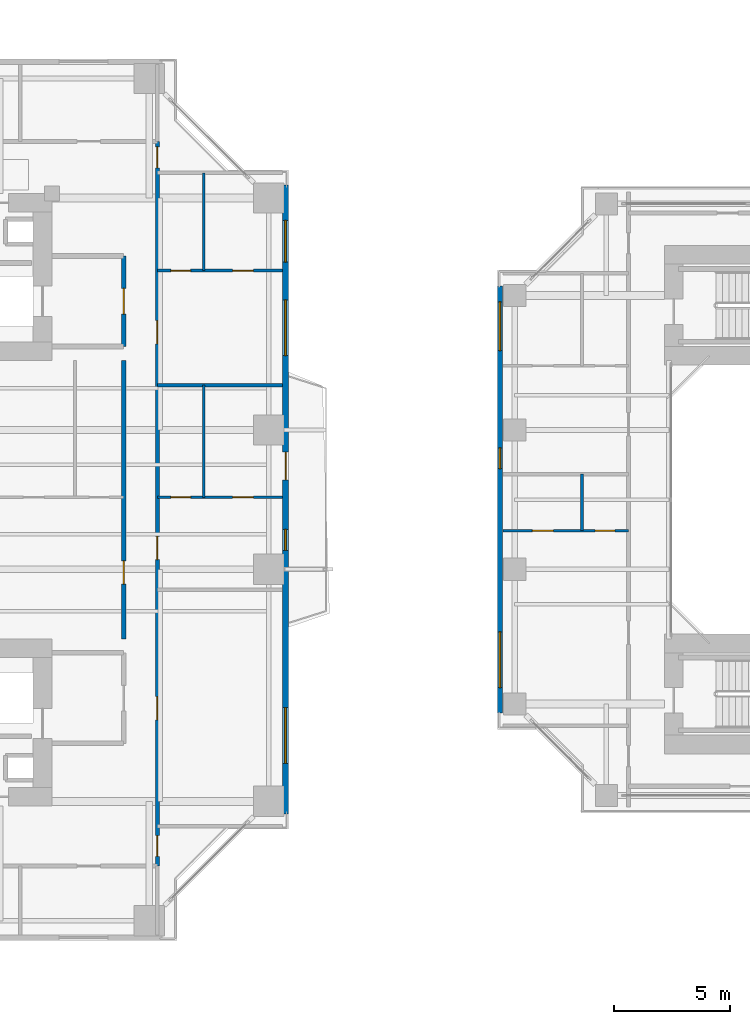
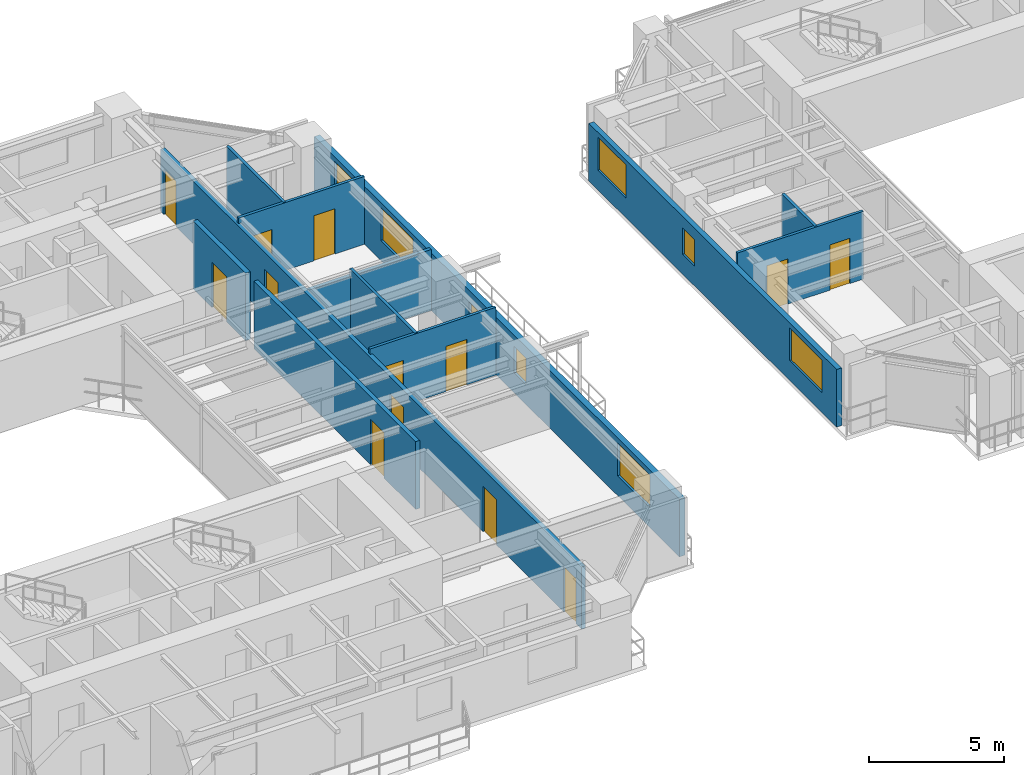
# One storey, part 15 of 23: 14 doors, 12 walls, 7 windows, 21 openings.
"""IFC4 building model written with IfcOpenShell, lengths in metres."""

from ifc_helpers import new_model, si_unit, direction, frame, frame_2d, origin, place, context, subcontext, project, spatial, rectangle, extrude, source, transform, mapped, material, layer, layer_set, type_object, element, fill, save


model = new_model("IFC4")

# Units and contexts
model_context = context("Model", 3, precision=1e-05, world=origin(), true_north=direction((0.0, 1.0)))
body_context = subcontext(model_context, "Body", "Model", "MODEL_VIEW")
ifc_project = project(units=[si_unit("LENGTHUNIT", "METRE"), si_unit("AREAUNIT", "SQUARE_METRE"), si_unit("VOLUMEUNIT", "CUBIC_METRE"), si_unit("PLANEANGLEUNIT", "RADIAN"), si_unit("MASSUNIT", "GRAM", prefix="KILO"), si_unit("THERMODYNAMICTEMPERATUREUNIT", "KELVIN"), si_unit("POWERUNIT", "WATT")], contexts=[model_context])

# Site, building, storey
site_placement = place(None, origin())
site = spatial("IfcSite", under=ifc_project, at=site_placement, CompositionType="ELEMENT")
building_placement = place(site_placement, origin())
building = spatial("IfcBuilding", under=site, at=building_placement, Name="Qiaomeng Ring Towers", CompositionType="ELEMENT")
storey_placement = place(building_placement, frame((0.0, 0.0, 39.25)))
storey = spatial("IfcBuildingStorey", under=building, at=storey_placement, Name="L10", CompositionType="ELEMENT", Elevation=39.25)

# Wall, openings, windows, door
ifc_material_1 = material(Name="Precast concrete C40", Category="concrete")
ifc_layer_1 = layer(ifc_material_1, 0.25, Name="Precast concrete C40")
ifc_layer_set_1 = layer_set([ifc_layer_1], Name="Precast concrete C40")
wall_type_1 = type_object("IfcWallType", Name="ARC-WL-EW1", PredefinedType="STANDARD", material=ifc_layer_set_1)
wall_1_placement = place(storey_placement, frame((37.875, 9.449951171875, 0.0), z_axis=(0.0, 0.0, 1.0), x_axis=(0.0, 1.0, 0.0)))
wall_1 = element("IfcWall", 1, at=wall_1_placement, inside=storey, type_object=wall_type_1, Name="L10 Tower 1 E Exterior Wall", PredefinedType="STANDARD", context=body_context, shape_type="SweptSolid", body=[
    extrude(rectangle(XDim=27.10009765625, YDim=0.25, at=frame_2d((13.550048828125, 0.0))), origin(), (0.0, 0.0, 1.0), 2.610107421875),
])
opening_1_placement = place(wall_1_placement, frame((14.39990234375, 0.0, 0.0)))
opening_1 = element("IfcOpeningElement", 2, at=opening_1_placement, cuts=wall_1, Name="Opening BD1", PredefinedType="OPENING", context=body_context, shape_type="SweptSolid", body=[
    extrude(rectangle(XDim=1.199951171875, YDim=2.10009765625, at=frame_2d((0.60009765625, 1.050048828125))), frame((0.0, 0.135009765625, 0.0), z_axis=(0.0, -1.0, 0.0), x_axis=(1.0, 0.0, 0.0)), (0.0, 0.0, 1.0), 0.27001953125),
])
opening_2_placement = place(wall_1_placement, frame((2.18798828125, 0.0, 0.89990234375)))
opening_2 = element("IfcOpeningElement", 3, at=opening_2_placement, cuts=wall_1, Name="Opening WN6", PredefinedType="OPENING", context=body_context, shape_type="SweptSolid", body=[
    extrude(rectangle(XDim=2.39990234375, YDim=1.47998046875, at=frame_2d((1.199951171875, 0.739990234375))), frame((0.0, 0.135009765625, 0.0), z_axis=(0.0, -1.0, 0.0), x_axis=(1.0, 0.0, 0.0)), (0.0, 0.0, 1.0), 0.27001953125),
])
opening_3_placement = place(wall_1_placement, frame((23.78759765625, 0.0, 0.89990234375)))
opening_3 = element("IfcOpeningElement", 4, at=opening_3_placement, cuts=wall_1, Name="Opening WN1", PredefinedType="OPENING", context=body_context, shape_type="SweptSolid", body=[
    extrude(rectangle(XDim=1.800048828125, YDim=1.5, at=frame_2d((0.89990234375, 0.75))), frame((0.0, 0.135009765625, 0.0), z_axis=(0.0, -1.0, 0.0), x_axis=(1.0, 0.0, 0.0)), (0.0, 0.0, 1.0), 0.27001953125),
])
opening_4_placement = place(wall_1_placement, frame((19.757568359375, 0.0, 0.89990234375)))
opening_4 = element("IfcOpeningElement", 5, at=opening_4_placement, cuts=wall_1, Name="Opening WN6", PredefinedType="OPENING", context=body_context, shape_type="SweptSolid", body=[
    extrude(rectangle(XDim=2.39990234375, YDim=1.5, at=frame_2d((1.199951171875, 0.75))), frame((0.0, 0.135009765625, 0.0), z_axis=(0.0, -1.0, 0.0), x_axis=(1.0, 0.0, 0.0)), (0.0, 0.0, 1.0), 0.27001953125),
])
opening_5_placement = place(wall_1_placement, frame((11.364990234375, 0.0, 0.89990234375)))
opening_5 = element("IfcOpeningElement", 6, at=opening_5_placement, cuts=wall_1, Name="Opening WN5", PredefinedType="OPENING", context=body_context, shape_type="SweptSolid", body=[
    extrude(rectangle(XDim=0.89990234375, YDim=1.199951171875, at=frame_2d((0.449951171875, 0.60009765625))), frame((0.0, 0.135009765625, 0.0), z_axis=(0.0, -1.0, 0.0), x_axis=(1.0, 0.0, 0.0)), (0.0, 0.0, 1.0), 0.27001953125),
])
ifc_material_2 = material(Name="Low-E dark-grey laminated double glazing", Category="glass")
window_type_1 = type_object("IfcWindowType", Name="ARC-WN-6", PartitioningType="TRIPLE_PANEL_VERTICAL", PredefinedType="WINDOW", material=ifc_material_2)
shared_shape_1 = source(origin(), body_context, "Body", "SweptSolid", [
    extrude(rectangle(XDim=2.39990234375, YDim=1.47998046875, at=frame_2d((1.199951171875, 0.739990234375))), frame((0.0, 0.030029296875, 0.0), z_axis=(0.0, -1.0, 0.0), x_axis=(1.0, 0.0, 0.0)), (0.0, 0.0, 1.0), 0.06005859375),
])
window_1_placement = place(opening_2_placement, origin())
window_1 = element("IfcWindow", 7, at=window_1_placement, inside=storey, type_object=window_type_1, Name="L10 Exterior Window WN6", OverallHeight=1.47998046875, OverallWidth=2.39990234375, PartitioningType="TRIPLE_PANEL_VERTICAL", PredefinedType="WINDOW", context=body_context, shape_type="MappedRepresentation", body=[
    mapped(shared_shape_1, transform((0.0, 0.0, 0.0), x_axis=(1.0, 0.0, 0.0), y_axis=(0.0, 1.0, 0.0), z_axis=(0.0, 0.0, 1.0), scale=1.0)),
])
fill(opening_2, window_1)
door_type_1 = type_object("IfcDoorType", Name="ARC-DR-BD1", OperationType="NOTDEFINED", PredefinedType="DOOR", material=ifc_material_2)
shared_shape_2 = source(origin(), body_context, "Body", "SweptSolid", [
    extrude(rectangle(XDim=1.199951171875, YDim=2.10009765625, at=frame_2d((0.60009765625, 1.050048828125))), frame((0.0, 0.02490234375, 0.0), z_axis=(0.0, -1.0, 0.0), x_axis=(1.0, 0.0, 0.0)), (0.0, 0.0, 1.0), 0.050048828125),
])
door_1_placement = place(opening_1_placement, origin())
door_1 = element("IfcDoor", 8, at=door_1_placement, inside=storey, type_object=door_type_1, Name="L10 E Balcony Glazed Door", OperationType="SINGLE_SWING_LEFT", OverallHeight=2.10009765625, OverallWidth=1.199951171875, PredefinedType="DOOR", context=body_context, shape_type="MappedRepresentation", body=[
    mapped(shared_shape_2, transform((0.0, 0.0, 0.0), x_axis=(1.0, 0.0, 0.0), y_axis=(0.0, 1.0, 0.0), z_axis=(0.0, 0.0, 1.0), scale=1.0)),
])
fill(opening_1, door_1)
shared_shape_3 = source(origin(), body_context, "Body", "SweptSolid", [
    extrude(rectangle(XDim=2.39990234375, YDim=1.5, at=frame_2d((1.199951171875, 0.75))), frame((0.0, 0.030029296875, 0.0), z_axis=(0.0, -1.0, 0.0), x_axis=(1.0, 0.0, 0.0)), (0.0, 0.0, 1.0), 0.06005859375),
])
window_2_placement = place(opening_4_placement, origin())
window_2 = element("IfcWindow", 9, at=window_2_placement, inside=storey, type_object=window_type_1, Name="L10 Exterior Window WN6", OverallHeight=1.5, OverallWidth=2.39990234375, PartitioningType="TRIPLE_PANEL_VERTICAL", PredefinedType="WINDOW", context=body_context, shape_type="MappedRepresentation", body=[
    mapped(shared_shape_3, transform((0.0, 0.0, 0.0), x_axis=(1.0, 0.0, 0.0), y_axis=(0.0, 1.0, 0.0), z_axis=(0.0, 0.0, 1.0), scale=1.0)),
])
fill(opening_4, window_2)
window_type_2 = type_object("IfcWindowType", Name="ARC-WN-1", PartitioningType="DOUBLE_PANEL_VERTICAL", PredefinedType="WINDOW", material=ifc_material_2)
shared_shape_4 = source(origin(), body_context, "Body", "SweptSolid", [
    extrude(rectangle(XDim=1.800048828125, YDim=1.5, at=frame_2d((0.89990234375, 0.75))), frame((0.0, 0.030029296875, 0.0), z_axis=(0.0, -1.0, 0.0), x_axis=(1.0, 0.0, 0.0)), (0.0, 0.0, 1.0), 0.06005859375),
])
window_3_placement = place(opening_3_placement, origin())
window_3 = element("IfcWindow", 10, at=window_3_placement, inside=storey, type_object=window_type_2, Name="L10 Exterior Window WN4", OverallHeight=1.5, OverallWidth=1.800048828125, PartitioningType="TRIPLE_PANEL_VERTICAL", PredefinedType="WINDOW", context=body_context, shape_type="MappedRepresentation", body=[
    mapped(shared_shape_4, transform((0.0, 0.0, 0.0), x_axis=(1.0, 0.0, 0.0), y_axis=(0.0, 1.0, 0.0), z_axis=(0.0, 0.0, 1.0), scale=1.0)),
])
fill(opening_3, window_3)
window_type_3 = type_object("IfcWindowType", Name="ARC-WN-5", PartitioningType="SINGLE_PANEL", PredefinedType="WINDOW", material=ifc_material_2)
shared_shape_5 = source(origin(), body_context, "Body", "SweptSolid", [
    extrude(rectangle(XDim=0.89990234375, YDim=1.199951171875, at=frame_2d((0.449951171875, 0.60009765625))), frame((0.0, 0.030029296875, 0.0), z_axis=(0.0, -1.0, 0.0), x_axis=(1.0, 0.0, 0.0)), (0.0, 0.0, 1.0), 0.06005859375),
])
window_4_placement = place(opening_5_placement, origin())
window_4 = element("IfcWindow", 11, at=window_4_placement, inside=storey, type_object=window_type_3, Name="L10 Exterior Window WN5", OverallHeight=1.199951171875, OverallWidth=0.89990234375, PartitioningType="SINGLE_PANEL", PredefinedType="WINDOW", context=body_context, shape_type="MappedRepresentation", body=[
    mapped(shared_shape_5, transform((0.0, 0.0, 0.0), x_axis=(1.0, 0.0, 0.0), y_axis=(0.0, 1.0, 0.0), z_axis=(0.0, 0.0, 1.0), scale=1.0)),
])
fill(opening_5, window_4)

# Wall, openings, windows
ifc_layer_2 = layer(ifc_material_1, 0.219970703125, Name="Precast concrete C40")
ifc_layer_set_2 = layer_set([ifc_layer_2], Name="Precast concrete C40")
wall_type_2 = type_object("IfcWallType", Name="ARC-WL-EW2", PredefinedType="STANDARD", material=ifc_layer_set_2)
wall_2_placement = place(storey_placement, frame((47.110107421875, 13.800048828125, 0.0), z_axis=(0.0, 0.0, 1.0), x_axis=(0.0, 1.0, 0.0)))
wall_2 = element("IfcWall", 12, at=wall_2_placement, inside=storey, type_object=wall_type_2, Name="L10 Companion West Wall", PredefinedType="STANDARD", context=body_context, shape_type="SweptSolid", body=[
    extrude(rectangle(XDim=18.39990234375, YDim=0.219970703125, at=frame_2d((9.199951171875, 0.0))), origin(), (0.0, 0.0, 1.0), 2.610107421875),
])
opening_6_placement = place(wall_2_placement, frame((1.10009765625, 0.0, 0.89990234375)))
opening_6 = element("IfcOpeningElement", 13, at=opening_6_placement, cuts=wall_2, Name="Opening WN6", PredefinedType="OPENING", context=body_context, shape_type="SweptSolid", body=[
    extrude(rectangle(XDim=2.39990234375, YDim=1.47998046875, at=frame_2d((1.199951171875, 0.739990234375))), frame((0.0, 0.119873046875, 0.0), z_axis=(0.0, -1.0, 0.0), x_axis=(1.0, 0.0, 0.0)), (0.0, 0.0, 1.0), 0.239990234375),
])
opening_7_placement = place(wall_2_placement, frame((15.6201171875, 0.0, 0.89990234375)))
opening_7 = element("IfcOpeningElement", 14, at=opening_7_placement, cuts=wall_2, Name="Opening WN4", PredefinedType="OPENING", context=body_context, shape_type="SweptSolid", body=[
    extrude(rectangle(XDim=2.10009765625, YDim=1.5, at=frame_2d((1.050048828125, 0.75))), frame((0.0, 0.119873046875, 0.0), z_axis=(0.0, -1.0, 0.0), x_axis=(1.0, 0.0, 0.0)), (0.0, 0.0, 1.0), 0.239990234375),
])
opening_8_placement = place(wall_2_placement, frame((10.534912109375, 0.0, 0.89990234375)))
opening_8 = element("IfcOpeningElement", 15, at=opening_8_placement, cuts=wall_2, Name="Opening WN5", PredefinedType="OPENING", context=body_context, shape_type="SweptSolid", body=[
    extrude(rectangle(XDim=0.89990234375, YDim=1.199951171875, at=frame_2d((0.449951171875, 0.60009765625))), frame((0.0, 0.119873046875, 0.0), z_axis=(0.0, -1.0, 0.0), x_axis=(1.0, 0.0, 0.0)), (0.0, 0.0, 1.0), 0.239990234375),
])
window_type_4 = type_object("IfcWindowType", Name="ARC-WN-4", PartitioningType="TRIPLE_PANEL_VERTICAL", PredefinedType="WINDOW", material=ifc_material_2)
shared_shape_6 = source(origin(), body_context, "Body", "SweptSolid", [
    extrude(rectangle(XDim=2.10009765625, YDim=1.5, at=frame_2d((1.050048828125, 0.75))), frame((0.0, 0.030029296875, 0.0), z_axis=(0.0, -1.0, 0.0), x_axis=(1.0, 0.0, 0.0)), (0.0, 0.0, 1.0), 0.06005859375),
])
window_5_placement = place(opening_7_placement, origin())
window_5 = element("IfcWindow", 16, at=window_5_placement, inside=storey, type_object=window_type_4, Name="L10 Exterior Window WN4", OverallHeight=1.5, OverallWidth=2.10009765625, PartitioningType="TRIPLE_PANEL_VERTICAL", PredefinedType="WINDOW", context=body_context, shape_type="MappedRepresentation", body=[
    mapped(shared_shape_6, transform((0.0, 0.0, 0.0), x_axis=(1.0, 0.0, 0.0), y_axis=(0.0, 1.0, 0.0), z_axis=(0.0, 0.0, 1.0), scale=1.0)),
])
fill(opening_7, window_5)
window_6_placement = place(opening_6_placement, origin())
window_6 = element("IfcWindow", 17, at=window_6_placement, inside=storey, type_object=window_type_1, Name="L10 Exterior Window WN6", OverallHeight=1.47998046875, OverallWidth=2.39990234375, PartitioningType="TRIPLE_PANEL_VERTICAL", PredefinedType="WINDOW", context=body_context, shape_type="MappedRepresentation", body=[
    mapped(shared_shape_1, transform((0.0, 0.0, 0.0), x_axis=(1.0, 0.0, 0.0), y_axis=(0.0, 1.0, 0.0), z_axis=(0.0, 0.0, 1.0), scale=1.0)),
])
fill(opening_6, window_6)
window_7_placement = place(opening_8_placement, origin())
window_7 = element("IfcWindow", 18, at=window_7_placement, inside=storey, type_object=window_type_3, Name="L10 Exterior Window WN5", OverallHeight=1.199951171875, OverallWidth=0.89990234375, PartitioningType="SINGLE_PANEL", PredefinedType="WINDOW", context=body_context, shape_type="MappedRepresentation", body=[
    mapped(shared_shape_5, transform((0.0, 0.0, 0.0), x_axis=(1.0, 0.0, 0.0), y_axis=(0.0, 1.0, 0.0), z_axis=(0.0, 0.0, 1.0), scale=1.0)),
])
fill(opening_8, window_7)

# Wall, opening, door
ifc_material_3 = material(Name="Autoclaved aerated concrete block", Category="concrete")
ifc_layer_3 = layer(ifc_material_3, 0.199951171875, Name="Autoclaved aerated concrete block")
ifc_layer_set_3 = layer_set([ifc_layer_3], Name="Autoclaved aerated concrete block")
wall_type_3 = type_object("IfcWallType", Name="ARC-WL-PW1", PredefinedType="PARTITIONING", material=ifc_layer_set_3)
wall_3_placement = place(storey_placement, frame((30.89990234375, 29.60009765625, 0.0), z_axis=(0.0, 0.0, 1.0), x_axis=(0.0, 1.0, 0.0)))
wall_3 = element("IfcWall", 19, at=wall_3_placement, inside=storey, type_object=wall_type_3, Name="L10 Interior Wall PW1", PredefinedType="PARTITIONING", context=body_context, shape_type="SweptSolid", body=[
    extrude(rectangle(XDim=3.89990234375, YDim=0.199951171875, at=frame_2d((1.949951171875, 0.0))), origin(), (0.0, 0.0, 1.0), 3.070068359375),
])
opening_9_placement = place(wall_3_placement, frame((1.39990234375, 0.0, 0.0)))
opening_9 = element("IfcOpeningElement", 20, at=opening_9_placement, cuts=wall_3, Name="Opening FD3", PredefinedType="OPENING", context=body_context, shape_type="SweptSolid", body=[
    extrude(rectangle(XDim=1.10009765625, YDim=2.050048828125, at=frame_2d((0.550048828125, 1.02490234375))), frame((0.0, 0.10986328125, 0.0), z_axis=(0.0, -1.0, 0.0), x_axis=(1.0, 0.0, 0.0)), (0.0, 0.0, 1.0), 0.219970703125),
])
ifc_material_4 = material(Name="Galvanised steel", Category="steel")
door_type_2 = type_object("IfcDoorType", Name="ARC-DR-FD3", OperationType="NOTDEFINED", PredefinedType="DOOR", material=ifc_material_4)
shared_shape_7 = source(origin(), body_context, "Body", "SweptSolid", [
    extrude(rectangle(XDim=1.10009765625, YDim=2.050048828125, at=frame_2d((0.550048828125, 1.02490234375))), frame((0.0, 0.02490234375, 0.0), z_axis=(0.0, -1.0, 0.0), x_axis=(1.0, 0.0, 0.0)), (0.0, 0.0, 1.0), 0.050048828125),
])
door_2_placement = place(opening_9_placement, origin())
door_2 = element("IfcDoor", 21, at=door_2_placement, inside=storey, type_object=door_type_2, Name="L10 North FF Lobby Door", OperationType="SINGLE_SWING_LEFT", OverallHeight=2.050048828125, OverallWidth=1.10009765625, PredefinedType="DOOR", context=body_context, shape_type="MappedRepresentation", body=[
    mapped(shared_shape_7, transform((0.0, 0.0, 0.0), x_axis=(1.0, 0.0, 0.0), y_axis=(0.0, 1.0, 0.0), z_axis=(0.0, 0.0, 1.0), scale=1.0)),
])
fill(opening_9, door_2)

# Wall, openings, doors
ifc_layer_4 = layer(ifc_material_3, 0.179931640625, Name="Autoclaved aerated concrete block")
ifc_layer_set_4 = layer_set([ifc_layer_4], Name="Autoclaved aerated concrete block")
wall_type_4 = type_object("IfcWallType", Name="ARC-WL-PW2", PredefinedType="PARTITIONING", material=ifc_layer_set_4)
wall_4_placement = place(storey_placement, frame((32.35009765625, 7.2099609375, 0.0), z_axis=(0.0, 0.0, 1.0), x_axis=(0.0, 1.0, 0.0)))
wall_4 = element("IfcWall", 22, at=wall_4_placement, inside=storey, type_object=wall_type_4, Name="L10 Interior Wall PW2", PredefinedType="PARTITIONING", context=body_context, shape_type="SweptSolid", body=[
    extrude(rectangle(XDim=31.22998046875, YDim=0.179931640625, at=frame_2d((15.614990234375, 0.0))), origin(), (0.0, 0.0, 1.0), 2.821044921875),
])
opening_10_placement = place(wall_4_placement, frame((30.090087890625, 0.0, 0.0)))
opening_10 = element("IfcOpeningElement", 23, at=opening_10_placement, cuts=wall_4, Name="Opening ID1", PredefinedType="OPENING", context=body_context, shape_type="SweptSolid", body=[
    extrude(rectangle(XDim=0.89990234375, YDim=2.050048828125, at=frame_2d((0.449951171875, 1.02490234375))), frame((0.0, 0.099853515625, 0.0), z_axis=(0.0, -1.0, 0.0), x_axis=(1.0, 0.0, 0.0)), (0.0, 0.0, 1.0), 0.199951171875),
])
opening_11_placement = place(wall_4_placement, frame((0.4150390625, 0.0, 0.0)))
opening_11 = element("IfcOpeningElement", 24, at=opening_11_placement, cuts=wall_4, Name="Opening ID1", PredefinedType="OPENING", context=body_context, shape_type="SweptSolid", body=[
    extrude(rectangle(XDim=0.89990234375, YDim=2.050048828125, at=frame_2d((0.449951171875, 1.02490234375))), frame((0.0, 0.099853515625, 0.0), z_axis=(0.0, -1.0, 0.0), x_axis=(1.0, 0.0, 0.0)), (0.0, 0.0, 1.0), 0.199951171875),
])
opening_12_placement = place(wall_4_placement, frame((6.304931640625, 0.0, 0.0)))
opening_12 = element("IfcOpeningElement", 25, at=opening_12_placement, cuts=wall_4, Name="Opening FD4", PredefinedType="OPENING", context=body_context, shape_type="SweptSolid", body=[
    extrude(rectangle(XDim=1.0, YDim=2.050048828125, at=frame_2d((0.5, 1.02490234375))), frame((0.0, 0.099853515625, 0.0), z_axis=(0.0, -1.0, 0.0), x_axis=(1.0, 0.0, 0.0)), (0.0, 0.0, 1.0), 0.199951171875),
])
opening_13_placement = place(wall_4_placement, frame((13.205078125, 0.0, 0.0)))
opening_13 = element("IfcOpeningElement", 26, at=opening_13_placement, cuts=wall_4, Name="Opening FD4", PredefinedType="OPENING", context=body_context, shape_type="SweptSolid", body=[
    extrude(rectangle(XDim=1.0, YDim=2.050048828125, at=frame_2d((0.5, 1.02490234375))), frame((0.0, 0.099853515625, 0.0), z_axis=(0.0, -1.0, 0.0), x_axis=(1.0, 0.0, 0.0)), (0.0, 0.0, 1.0), 0.199951171875),
])
opening_14_placement = place(wall_4_placement, frame((22.5, 0.0, 0.0)))
opening_14 = element("IfcOpeningElement", 27, at=opening_14_placement, cuts=wall_4, Name="Opening FD4", PredefinedType="OPENING", context=body_context, shape_type="SweptSolid", body=[
    extrude(rectangle(XDim=1.0, YDim=2.050048828125, at=frame_2d((0.5, 1.02490234375))), frame((0.0, 0.099853515625, 0.0), z_axis=(0.0, -1.0, 0.0), x_axis=(1.0, 0.0, 0.0)), (0.0, 0.0, 1.0), 0.199951171875),
])
ifc_material_5 = material(Name="Engineered fire-rated oak timber", Category="wood")
door_type_3 = type_object("IfcDoorType", Name="ARC-DR-FD4", OperationType="NOTDEFINED", PredefinedType="DOOR", material=ifc_material_5)
shared_shape_8 = source(origin(), body_context, "Body", "SweptSolid", [
    extrude(rectangle(XDim=1.0, YDim=2.050048828125, at=frame_2d((0.5, 1.02490234375))), frame((0.0, 0.02490234375, 0.0), z_axis=(0.0, -1.0, 0.0), x_axis=(1.0, 0.0, 0.0)), (0.0, 0.0, 1.0), 0.050048828125),
])
door_3_placement = place(opening_12_placement, origin())
door_3 = element("IfcDoor", 28, at=door_3_placement, inside=storey, type_object=door_type_3, Name="L10 Door FD4", OperationType="SINGLE_SWING_LEFT", OverallHeight=2.050048828125, OverallWidth=1.0, PredefinedType="DOOR", context=body_context, shape_type="MappedRepresentation", body=[
    mapped(shared_shape_8, transform((0.0, 0.0, 0.0), x_axis=(1.0, 0.0, 0.0), y_axis=(0.0, 1.0, 0.0), z_axis=(0.0, 0.0, 1.0), scale=1.0)),
])
fill(opening_12, door_3)
door_4_placement = place(opening_13_placement, origin())
door_4 = element("IfcDoor", 29, at=door_4_placement, inside=storey, type_object=door_type_3, Name="L10 Door FD4", OperationType="SINGLE_SWING_RIGHT", OverallHeight=2.050048828125, OverallWidth=1.0, PredefinedType="DOOR", context=body_context, shape_type="MappedRepresentation", body=[
    mapped(shared_shape_8, transform((0.0, 0.0, 0.0), x_axis=(1.0, 0.0, 0.0), y_axis=(0.0, 1.0, 0.0), z_axis=(0.0, 0.0, 1.0), scale=1.0)),
])
fill(opening_13, door_4)
door_5_placement = place(opening_14_placement, origin())
door_5 = element("IfcDoor", 30, at=door_5_placement, inside=storey, type_object=door_type_3, Name="L10 Door FD4", OperationType="SINGLE_SWING_LEFT", OverallHeight=2.050048828125, OverallWidth=1.0, PredefinedType="DOOR", context=body_context, shape_type="MappedRepresentation", body=[
    mapped(shared_shape_8, transform((0.0, 0.0, 0.0), x_axis=(1.0, 0.0, 0.0), y_axis=(0.0, 1.0, 0.0), z_axis=(0.0, 0.0, 1.0), scale=1.0)),
])
fill(opening_14, door_5)
ifc_material_6 = material(Name="Engineered oak timber", Category="wood")
door_type_4 = type_object("IfcDoorType", Name="ARC-DR-ID1", OperationType="NOTDEFINED", PredefinedType="DOOR", material=ifc_material_6)
shared_shape_9 = source(origin(), body_context, "Body", "SweptSolid", [
    extrude(rectangle(XDim=0.89990234375, YDim=2.050048828125, at=frame_2d((0.449951171875, 1.02490234375))), frame((0.0, 0.02490234375, 0.0), z_axis=(0.0, -1.0, 0.0), x_axis=(1.0, 0.0, 0.0)), (0.0, 0.0, 1.0), 0.050048828125),
])
door_6_placement = place(opening_10_placement, origin())
door_6 = element("IfcDoor", 31, at=door_6_placement, inside=storey, type_object=door_type_4, Name="L10 Door ID1", OperationType="SINGLE_SWING_LEFT", OverallHeight=2.050048828125, OverallWidth=0.89990234375, PredefinedType="DOOR", context=body_context, shape_type="MappedRepresentation", body=[
    mapped(shared_shape_9, transform((0.0, 0.0, 0.0), x_axis=(1.0, 0.0, 0.0), y_axis=(0.0, 1.0, 0.0), z_axis=(0.0, 0.0, 1.0), scale=1.0)),
])
fill(opening_10, door_6)
door_7_placement = place(opening_11_placement, origin())
door_7 = element("IfcDoor", 32, at=door_7_placement, inside=storey, type_object=door_type_4, Name="L10 Door ID1", OperationType="SINGLE_SWING_RIGHT", OverallHeight=2.050048828125, OverallWidth=0.89990234375, PredefinedType="DOOR", context=body_context, shape_type="MappedRepresentation", body=[
    mapped(shared_shape_9, transform((0.0, 0.0, 0.0), x_axis=(1.0, 0.0, 0.0), y_axis=(0.0, 1.0, 0.0), z_axis=(0.0, 0.0, 1.0), scale=1.0)),
])
fill(opening_11, door_7)

# Wall, opening, door
wall_5_placement = place(storey_placement, frame((30.89990234375, 17.0, 0.0), z_axis=(0.0, 0.0, 1.0), x_axis=(0.0, 1.0, 0.0)))
wall_5 = element("IfcWall", 33, at=wall_5_placement, inside=storey, type_object=wall_type_4, Name="L10 Interior Wall PW2", PredefinedType="PARTITIONING", context=body_context, shape_type="SweptSolid", body=[
    extrude(rectangle(XDim=12.0, YDim=0.179931640625, at=frame_2d((6.0, 0.0))), origin(), (0.0, 0.0, 1.0), 3.070068359375),
])
opening_15_placement = place(wall_5_placement, frame((2.360107421875, 0.0, 0.0)))
opening_15 = element("IfcOpeningElement", 34, at=opening_15_placement, cuts=wall_5, Name="Opening FD4", PredefinedType="OPENING", context=body_context, shape_type="SweptSolid", body=[
    extrude(rectangle(XDim=1.0, YDim=2.050048828125, at=frame_2d((0.5, 1.02490234375))), frame((0.0, 0.099853515625, 0.0), z_axis=(0.0, -1.0, 0.0), x_axis=(1.0, 0.0, 0.0)), (0.0, 0.0, 1.0), 0.199951171875),
])
door_8_placement = place(opening_15_placement, origin())
door_8 = element("IfcDoor", 35, at=door_8_placement, inside=storey, type_object=door_type_3, Name="L10 Door FD4", OperationType="SINGLE_SWING_RIGHT", OverallHeight=2.050048828125, OverallWidth=1.0, PredefinedType="DOOR", context=body_context, shape_type="MappedRepresentation", body=[
    mapped(shared_shape_8, transform((0.0, 0.0, 0.0), x_axis=(1.0, 0.0, 0.0), y_axis=(0.0, 1.0, 0.0), z_axis=(0.0, 0.0, 1.0), scale=1.0)),
])
fill(opening_15, door_8)

# Wall
ifc_material_7 = material(Name="Gypsum fireboard steel-stud partition", Category="steel")
ifc_layer_5 = layer(ifc_material_7, 0.14990234375, Name="Gypsum fireboard steel-stud partition")
ifc_layer_set_5 = layer_set([ifc_layer_5], Name="Gypsum fireboard steel-stud partition")
wall_type_5 = type_object("IfcWallType", Name="ARC-WL-PW3", PredefinedType="PARTITIONING", material=ifc_layer_set_5)
wall_6_placement = place(storey_placement, frame((32.35009765625, 27.929931640625, 0.0), z_axis=(0.0, 0.0, 1.0), x_axis=(1.0, 0.0, 0.0)))
element("IfcWall", 36, at=wall_6_placement, inside=storey, type_object=wall_type_5, Name="L10 Interior Wall PW3", PredefinedType="PARTITIONING", context=body_context, shape_type="SweptSolid", body=[
    extrude(rectangle(XDim=5.39990234375, YDim=0.14990234375, at=frame_2d((2.699951171875, 0.0))), origin(), (0.0, 0.0, 1.0), 2.764892578125),
])

# Wall, openings, doors
ifc_material_8 = material(Name="Moisture-resistant gypsum steel-stud partition", Category="steel")
ifc_layer_6 = layer(ifc_material_8, 0.1201171875, Name="Moisture-resistant gypsum steel-stud partition")
ifc_layer_set_6 = layer_set([ifc_layer_6], Name="Moisture-resistant gypsum steel-stud partition")
wall_type_6 = type_object("IfcWallType", Name="ARC-WL-PW4", PredefinedType="PLUMBINGWALL", material=ifc_layer_set_6)
wall_7_placement = place(storey_placement, frame((32.35009765625, 23.10009765625, 0.0), z_axis=(0.0, 0.0, 1.0), x_axis=(1.0, 0.0, 0.0)))
wall_7 = element("IfcWall", 37, at=wall_7_placement, inside=storey, type_object=wall_type_6, Name="L10 Interior Wall PW4", PredefinedType="PLUMBINGWALL", context=body_context, shape_type="SweptSolid", body=[
    extrude(rectangle(XDim=5.39990234375, YDim=0.1201171875, at=frame_2d((2.699951171875, 0.0))), origin(), (0.0, 0.0, 1.0), 3.070068359375),
])
opening_16_placement = place(wall_7_placement, frame((0.5849609375, 0.0, 0.0)))
opening_16 = element("IfcOpeningElement", 38, at=opening_16_placement, cuts=wall_7, Name="Opening ID2", PredefinedType="OPENING", context=body_context, shape_type="SweptSolid", body=[
    extrude(rectangle(XDim=0.85009765625, YDim=2.050048828125, at=frame_2d((0.425048828125, 1.02490234375))), frame((0.0, 0.070068359375, 0.0), z_axis=(0.0, -1.0, 0.0), x_axis=(1.0, 0.0, 0.0)), (0.0, 0.0, 1.0), 0.14013671875),
])
opening_17_placement = place(wall_7_placement, frame((3.239990234375, 0.0, 0.0)))
opening_17 = element("IfcOpeningElement", 39, at=opening_17_placement, cuts=wall_7, Name="Opening ID1", PredefinedType="OPENING", context=body_context, shape_type="SweptSolid", body=[
    extrude(rectangle(XDim=0.89990234375, YDim=2.050048828125, at=frame_2d((0.449951171875, 1.02490234375))), frame((0.0, 0.070068359375, 0.0), z_axis=(0.0, -1.0, 0.0), x_axis=(1.0, 0.0, 0.0)), (0.0, 0.0, 1.0), 0.14013671875),
])
ifc_material_9 = material(Name="Moisture-resistant engineered timber", Category="wood")
door_type_5 = type_object("IfcDoorType", Name="ARC-DR-ID2", OperationType="NOTDEFINED", PredefinedType="DOOR", material=ifc_material_9)
shared_shape_10 = source(origin(), body_context, "Body", "SweptSolid", [
    extrude(rectangle(XDim=0.85009765625, YDim=2.050048828125, at=frame_2d((0.425048828125, 1.02490234375))), frame((0.0, 0.02490234375, 0.0), z_axis=(0.0, -1.0, 0.0), x_axis=(1.0, 0.0, 0.0)), (0.0, 0.0, 1.0), 0.050048828125),
])
door_9_placement = place(opening_16_placement, origin())
door_9 = element("IfcDoor", 40, at=door_9_placement, inside=storey, type_object=door_type_5, Name="L10 Door ID2", OperationType="SINGLE_SWING_RIGHT", OverallHeight=2.050048828125, OverallWidth=0.85009765625, PredefinedType="DOOR", context=body_context, shape_type="MappedRepresentation", body=[
    mapped(shared_shape_10, transform((0.0, 0.0, 0.0), x_axis=(1.0, 0.0, 0.0), y_axis=(0.0, 1.0, 0.0), z_axis=(0.0, 0.0, 1.0), scale=1.0)),
])
fill(opening_16, door_9)
door_10_placement = place(opening_17_placement, origin())
door_10 = element("IfcDoor", 41, at=door_10_placement, inside=storey, type_object=door_type_4, Name="L10 Door ID1", OperationType="SINGLE_SWING_LEFT", OverallHeight=2.050048828125, OverallWidth=0.89990234375, PredefinedType="DOOR", context=body_context, shape_type="MappedRepresentation", body=[
    mapped(shared_shape_9, transform((0.0, 0.0, 0.0), x_axis=(1.0, 0.0, 0.0), y_axis=(0.0, 1.0, 0.0), z_axis=(0.0, 0.0, 1.0), scale=1.0)),
])
fill(opening_17, door_10)

# Wall
wall_8_placement = place(storey_placement, frame((34.35009765625, 23.10009765625, 0.0), z_axis=(0.0, 0.0, 1.0), x_axis=(0.0, 1.0, 0.0)))
element("IfcWall", 42, at=wall_8_placement, inside=storey, type_object=wall_type_6, Name="L10 Interior Wall PW4", PredefinedType="PLUMBINGWALL", context=body_context, shape_type="SweptSolid", body=[
    extrude(rectangle(XDim=4.829833984375, YDim=0.1201171875, at=frame_2d((2.4150390625, 0.0))), origin(), (0.0, 0.0, 1.0), 3.070068359375),
])

# Wall, openings, doors
wall_9_placement = place(storey_placement, frame((32.35009765625, 32.8701171875, 0.0), z_axis=(0.0, 0.0, 1.0), x_axis=(1.0, 0.0, 0.0)))
wall_9 = element("IfcWall", 43, at=wall_9_placement, inside=storey, type_object=wall_type_6, Name="L10 Interior Wall PW4", PredefinedType="PLUMBINGWALL", context=body_context, shape_type="SweptSolid", body=[
    extrude(rectangle(XDim=5.39990234375, YDim=0.1201171875, at=frame_2d((2.699951171875, 0.0))), origin(), (0.0, 0.0, 1.0), 3.070068359375),
])
opening_18_placement = place(wall_9_placement, frame((0.5849609375, 0.0, 0.0)))
opening_18 = element("IfcOpeningElement", 44, at=opening_18_placement, cuts=wall_9, Name="Opening ID2", PredefinedType="OPENING", context=body_context, shape_type="SweptSolid", body=[
    extrude(rectangle(XDim=0.85009765625, YDim=2.050048828125, at=frame_2d((0.425048828125, 1.02490234375))), frame((0.0, 0.070068359375, 0.0), z_axis=(0.0, -1.0, 0.0), x_axis=(1.0, 0.0, 0.0)), (0.0, 0.0, 1.0), 0.14013671875),
])
opening_19_placement = place(wall_9_placement, frame((3.239990234375, 0.0, 0.0)))
opening_19 = element("IfcOpeningElement", 45, at=opening_19_placement, cuts=wall_9, Name="Opening ID1", PredefinedType="OPENING", context=body_context, shape_type="SweptSolid", body=[
    extrude(rectangle(XDim=0.89990234375, YDim=2.050048828125, at=frame_2d((0.449951171875, 1.02490234375))), frame((0.0, 0.070068359375, 0.0), z_axis=(0.0, -1.0, 0.0), x_axis=(1.0, 0.0, 0.0)), (0.0, 0.0, 1.0), 0.14013671875),
])
door_11_placement = place(opening_18_placement, origin())
door_11 = element("IfcDoor", 46, at=door_11_placement, inside=storey, type_object=door_type_5, Name="L10 Door ID2", OperationType="SINGLE_SWING_LEFT", OverallHeight=2.050048828125, OverallWidth=0.85009765625, PredefinedType="DOOR", context=body_context, shape_type="MappedRepresentation", body=[
    mapped(shared_shape_10, transform((0.0, 0.0, 0.0), x_axis=(1.0, 0.0, 0.0), y_axis=(0.0, 1.0, 0.0), z_axis=(0.0, 0.0, 1.0), scale=1.0)),
])
fill(opening_18, door_11)
door_12_placement = place(opening_19_placement, origin())
door_12 = element("IfcDoor", 47, at=door_12_placement, inside=storey, type_object=door_type_4, Name="L10 Door ID1", OperationType="SINGLE_SWING_RIGHT", OverallHeight=2.050048828125, OverallWidth=0.89990234375, PredefinedType="DOOR", context=body_context, shape_type="MappedRepresentation", body=[
    mapped(shared_shape_9, transform((0.0, 0.0, 0.0), x_axis=(1.0, 0.0, 0.0), y_axis=(0.0, 1.0, 0.0), z_axis=(0.0, 0.0, 1.0), scale=1.0)),
])
fill(opening_19, door_12)

# Wall
wall_10_placement = place(storey_placement, frame((34.35009765625, 32.8701171875, 0.0), z_axis=(0.0, 0.0, 1.0), x_axis=(0.0, 1.0, 0.0)))
element("IfcWall", 48, at=wall_10_placement, inside=storey, type_object=wall_type_6, Name="L10 Interior Wall PW4", PredefinedType="PLUMBINGWALL", context=body_context, shape_type="SweptSolid", body=[
    extrude(rectangle(XDim=4.2099609375, YDim=0.1201171875, at=frame_2d((2.10498046875, 0.0))), origin(), (0.0, 0.0, 1.0), 3.070068359375),
])

# Wall, openings, doors
wall_11_placement = place(storey_placement, frame((47.25, 21.659912109375, 0.0), z_axis=(0.0, 0.0, 1.0), x_axis=(1.0, 0.0, 0.0)))
wall_11 = element("IfcWall", 49, at=wall_11_placement, inside=storey, type_object=wall_type_6, Name="L10 Interior Wall PW4", PredefinedType="PLUMBINGWALL", context=body_context, shape_type="SweptSolid", body=[
    extrude(rectangle(XDim=5.39990234375, YDim=0.1201171875, at=frame_2d((2.699951171875, 0.0))), origin(), (0.0, 0.0, 1.0), 3.070068359375),
])
opening_20_placement = place(wall_11_placement, frame((1.260009765625, 0.0, 0.0)))
opening_20 = element("IfcOpeningElement", 50, at=opening_20_placement, cuts=wall_11, Name="Opening ID1", PredefinedType="OPENING", context=body_context, shape_type="SweptSolid", body=[
    extrude(rectangle(XDim=0.89990234375, YDim=2.050048828125, at=frame_2d((0.449951171875, 1.02490234375))), frame((0.0, 0.070068359375, 0.0), z_axis=(0.0, -1.0, 0.0), x_axis=(1.0, 0.0, 0.0)), (0.0, 0.0, 1.0), 0.14013671875),
])
opening_21_placement = place(wall_11_placement, frame((3.965087890625, 0.0, 0.0)))
opening_21 = element("IfcOpeningElement", 51, at=opening_21_placement, cuts=wall_11, Name="Opening ID2", PredefinedType="OPENING", context=body_context, shape_type="SweptSolid", body=[
    extrude(rectangle(XDim=0.85009765625, YDim=2.050048828125, at=frame_2d((0.425048828125, 1.02490234375))), frame((0.0, 0.070068359375, 0.0), z_axis=(0.0, -1.0, 0.0), x_axis=(1.0, 0.0, 0.0)), (0.0, 0.0, 1.0), 0.14013671875),
])
door_13_placement = place(opening_21_placement, origin())
door_13 = element("IfcDoor", 52, at=door_13_placement, inside=storey, type_object=door_type_5, Name="L10 Door ID2", OperationType="SINGLE_SWING_RIGHT", OverallHeight=2.050048828125, OverallWidth=0.85009765625, PredefinedType="DOOR", context=body_context, shape_type="MappedRepresentation", body=[
    mapped(shared_shape_10, transform((0.0, 0.0, 0.0), x_axis=(1.0, 0.0, 0.0), y_axis=(0.0, 1.0, 0.0), z_axis=(0.0, 0.0, 1.0), scale=1.0)),
])
fill(opening_21, door_13)
door_14_placement = place(opening_20_placement, origin())
door_14 = element("IfcDoor", 53, at=door_14_placement, inside=storey, type_object=door_type_4, Name="L10 Door ID1", OperationType="SINGLE_SWING_LEFT", OverallHeight=2.050048828125, OverallWidth=0.89990234375, PredefinedType="DOOR", context=body_context, shape_type="MappedRepresentation", body=[
    mapped(shared_shape_9, transform((0.0, 0.0, 0.0), x_axis=(1.0, 0.0, 0.0), y_axis=(0.0, 1.0, 0.0), z_axis=(0.0, 0.0, 1.0), scale=1.0)),
])
fill(opening_20, door_14)

# Wall
wall_12_placement = place(storey_placement, frame((50.64990234375, 21.659912109375, 0.0), z_axis=(0.0, 0.0, 1.0), x_axis=(0.0, 1.0, 0.0)))
element("IfcWall", 54, at=wall_12_placement, inside=storey, type_object=wall_type_6, Name="L10 Interior Wall PW4", PredefinedType="PLUMBINGWALL", context=body_context, shape_type="SweptSolid", body=[
    extrude(rectangle(XDim=2.440185546875, YDim=0.1201171875, at=frame_2d((1.22021484375, 0.0))), origin(), (0.0, 0.0, 1.0), 3.070068359375),
])

save(model, "model.ifc")
